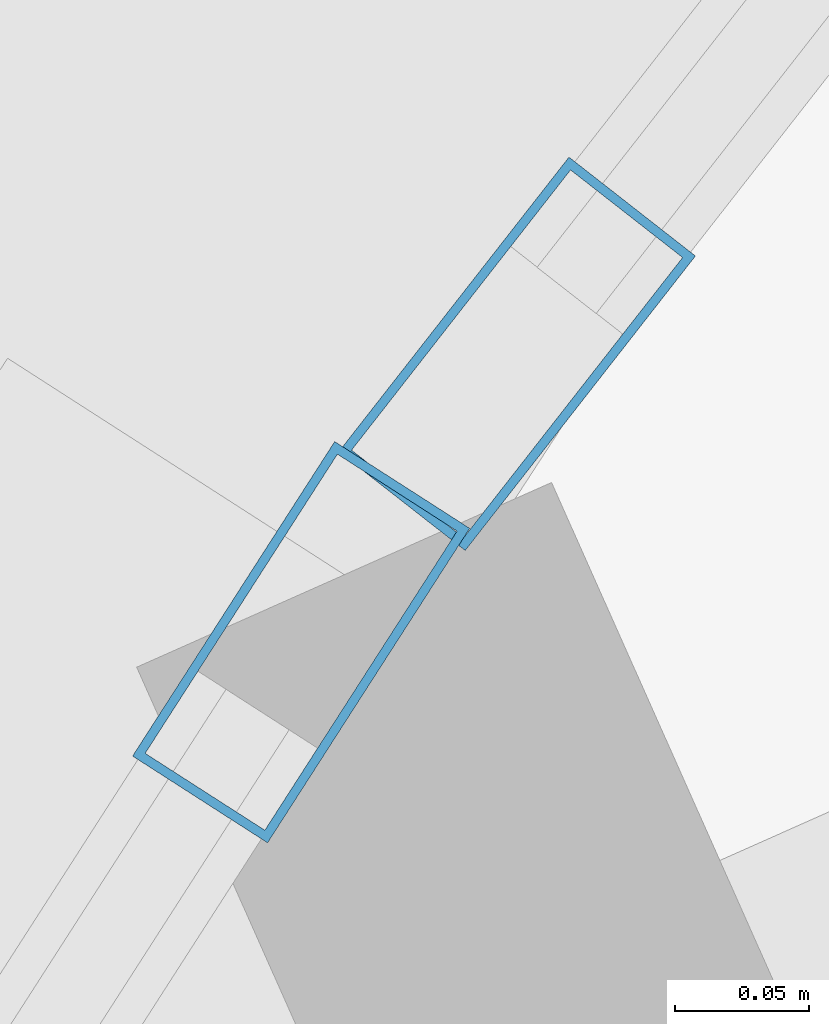
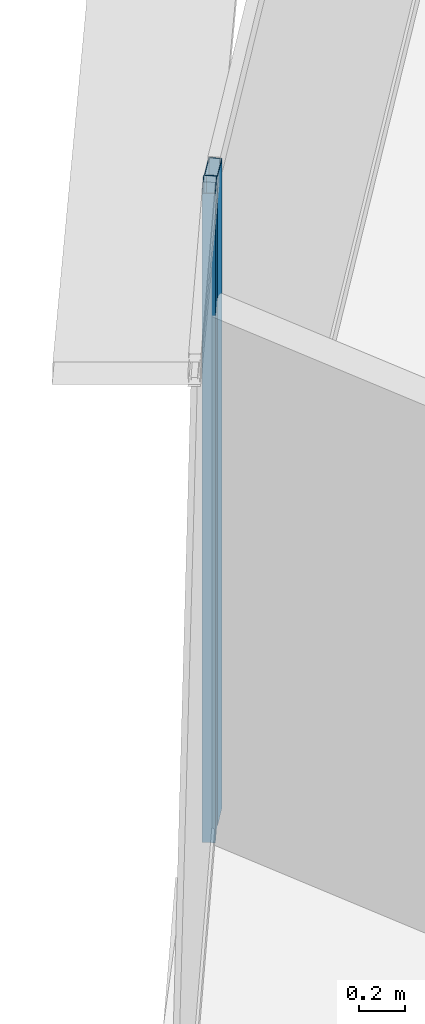
# One storey, part 17 of 36: 2 members, 2 elements without a shape of their own.
"""IFC4 building model written with IfcOpenShell, lengths in metres."""

from ifc_helpers import new_model, si_unit, direction, frame, origin, origin_2d, place, context, subcontext, project, spatial, hollow_rectangle, extrude, source, transform, mapped, material, layer, layer_set, material_profile, profile_set, type_object, element, aggregate, save


model = new_model("IFC4")

# Units and contexts
model_context = context("Model", 3, precision=1e-05, world=origin(), true_north=direction((0.0, 1.0)))
body_context = subcontext(model_context, "Body", "Model", "MODEL_VIEW")
ifc_project = project(units=[si_unit("LENGTHUNIT", "METRE"), si_unit("AREAUNIT", "SQUARE_METRE"), si_unit("VOLUMEUNIT", "CUBIC_METRE"), si_unit("PLANEANGLEUNIT", "RADIAN"), si_unit("MASSUNIT", "GRAM", prefix="KILO"), si_unit("THERMODYNAMICTEMPERATUREUNIT", "KELVIN"), si_unit("POWERUNIT", "WATT")], contexts=[model_context])

# Site, building, storey
site_placement = place(None, origin())
site = spatial("IfcSite", under=ifc_project, at=site_placement, CompositionType="ELEMENT")
building_placement = place(site_placement, origin())
building = spatial("IfcBuilding", under=site, at=building_placement, Name="Yunzhuo Pagoda Commons", CompositionType="ELEMENT")
storey_placement = place(building_placement, frame((0.0, 0.0, 248.260009765625)))
storey = spatial("IfcBuildingStorey", under=building, at=storey_placement, Name="L62", CompositionType="ELEMENT", Elevation=248.260009765625)

# Curtain wall, member
ifc_material = material(Name="Anodized aluminium 6063-T6", Category="aluminium")
ifc_layer = layer(ifc_material, 0.139892578125)
ifc_layer_set = layer_set([ifc_layer], Name="Anodized aluminium 6063-T6")
curtain_wall_type = type_object("IfcCurtainWallType", Name="CW-HI High-Zone Ribbon Curtain Wall", PredefinedType="NOTDEFINED", material=ifc_layer_set)
curtain_wall_1_placement = place(storey_placement, origin())
curtain_wall_1 = element("IfcCurtainWall", 1, at=curtain_wall_1_placement, inside=storey, type_object=curtain_wall_type, Name="L62 curtain wall CW-L62-F3B2", PredefinedType="NOTDEFINED")
ifc_material_profile = material_profile(ifc_material, hollow_rectangle(XDim=0.06005859375, YDim=0.139892578125, WallThickness=0.00341796875, at=origin_2d()), Name="Anodized aluminium 6063-T6")
ifc_profile_set = profile_set([ifc_material_profile], Name="Anodized aluminium 6063-T6")
member_type = type_object("IfcMemberType", Name="CW-HI-M Mullion RHS 140x60x3.5", PredefinedType="MULLION", material=ifc_profile_set)
shared_shape = source(origin(), body_context, "Body", "SweptSolid", [
    extrude(hollow_rectangle(XDim=0.06005859375, YDim=0.139892578125, WallThickness=0.00341796875, at=origin_2d()), origin(), (0.0, 0.0, 1.0), 3.47021484375),
])
member_1_placement = place(storey_placement, frame((33.50390625, 66.197265625, 0.0), z_axis=(0.0, 0.0, 1.0), x_axis=(0.841269037614, -0.540616690782, 0.0)))
member_1 = element("IfcMember", 2, at=member_1_placement, type_object=member_type, Name="CW mullion 1", PredefinedType="MULLION", context=body_context, shape_type="MappedRepresentation", body=[
    mapped(shared_shape, transform((0.0, 0.0, 0.0), scale=1.0)),
])
aggregate(curtain_wall_1, [member_1])

curtain_wall_2_placement = place(storey_placement, origin())
curtain_wall_2 = element("IfcCurtainWall", 3, at=curtain_wall_2_placement, inside=storey, type_object=curtain_wall_type, Name="L62 curtain wall CW-L62-F3B1", PredefinedType="NOTDEFINED")
member_2_placement = place(storey_placement, frame((33.584716796875, 66.30517578125, 0.0), z_axis=(0.0, 0.0, 1.0), x_axis=(0.787911077131, -0.615789034114, 0.0)))
member_2 = element("IfcMember", 4, at=member_2_placement, type_object=member_type, Name="CW mullion 2", PredefinedType="MULLION", context=body_context, shape_type="MappedRepresentation", body=[
    mapped(shared_shape, transform((0.0, 0.0, 0.0), scale=1.0)),
])
aggregate(curtain_wall_2, [member_2])

save(model, "model.ifc")
